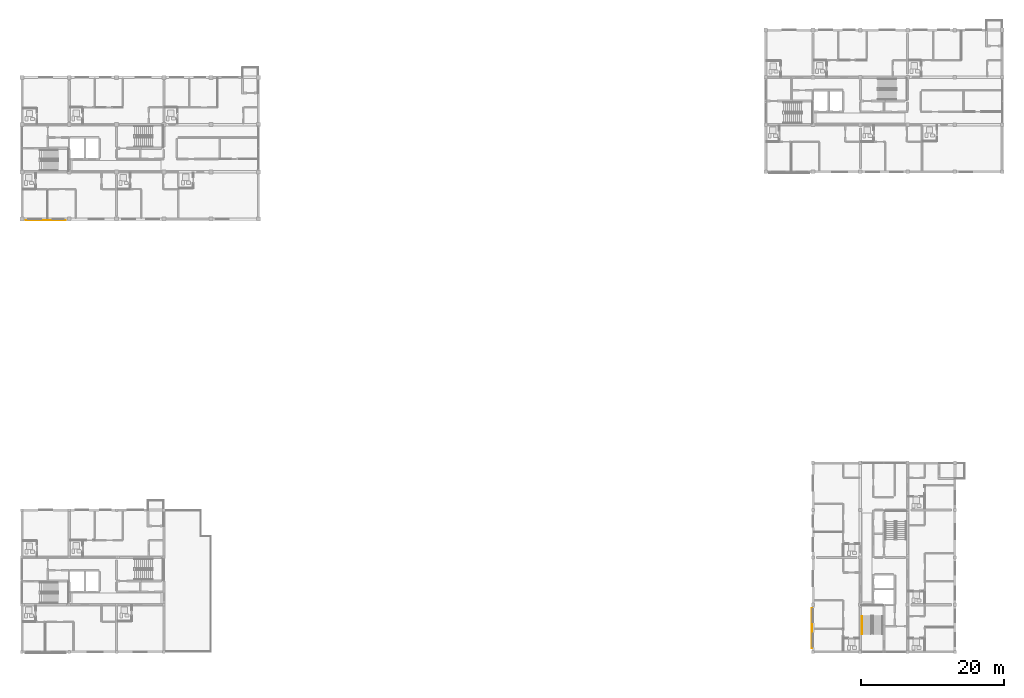
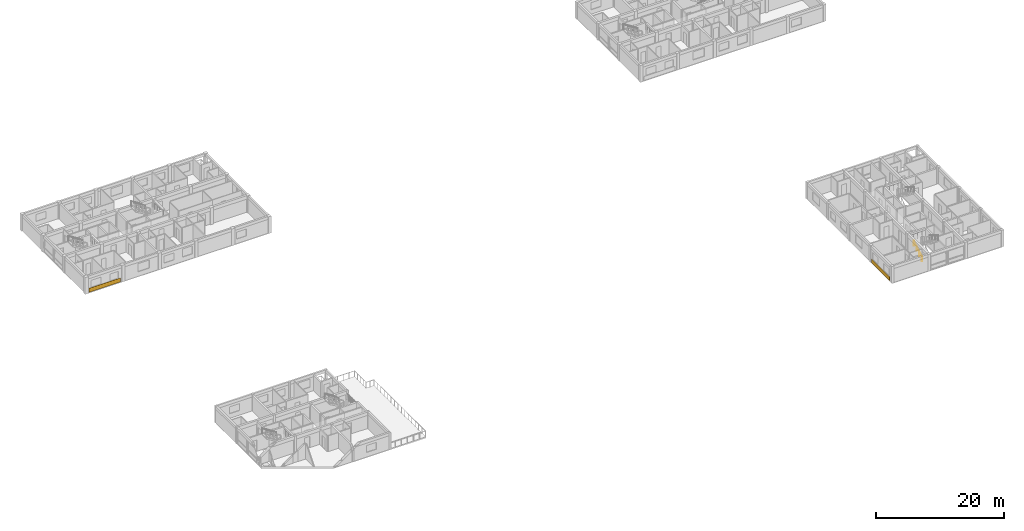
# One storey, part 41 of 46: 2 coverings, 1 railing.
"""IFC4 building model written with IfcOpenShell, lengths in metres."""

from ifc_helpers import new_model, si_unit, direction, frame, origin, origin_2d, place, context, subcontext, project, spatial, rectangle, circle, extrude, material, layer, layer_set, type_object, element, save


model = new_model("IFC4")

# Units and contexts
model_context = context("Model", 3, precision=1e-05, world=origin(), true_north=direction((0.0, 1.0)))
body_context = subcontext(model_context, "Body", "Model", "MODEL_VIEW")
ifc_project = project(units=[si_unit("LENGTHUNIT", "METRE"), si_unit("AREAUNIT", "SQUARE_METRE"), si_unit("VOLUMEUNIT", "CUBIC_METRE"), si_unit("PLANEANGLEUNIT", "RADIAN"), si_unit("MASSUNIT", "GRAM", prefix="KILO")], contexts=[model_context])

# Site, building, storey
site_placement = place(None, origin())
site = spatial("IfcSite", under=ifc_project, at=site_placement, CompositionType="ELEMENT")
building_placement = place(site_placement, origin())
building = spatial("IfcBuilding", under=site, at=building_placement, Name="Kernevlak Ridge Housing Community", CompositionType="ELEMENT")
storey_placement = place(building_placement, frame((0.0, 0.0, 27.60009765625)))
storey = spatial("IfcBuildingStorey", under=building, at=storey_placement, Name="L08", CompositionType="ELEMENT", Elevation=27.60009765625)

# Coverings
ifc_material_1 = material(Name="Aluminium EN AW-5005 enamelled cladding", Category="aluminium")
ifc_layer = layer(ifc_material_1, 0.030029296875, Name="Aluminium EN AW-5005 enamelled cladding")
ifc_layer_set = layer_set([ifc_layer], Name="Aluminium EN AW-5005 enamelled cladding")
covering_type = type_object("IfcCoveringType", Name="CV-04", PredefinedType="CLADDING", material=ifc_layer_set)
for number, where, z_axis, x_axis, name in (
    (1, (18.89990234375, 75.844970703125, 0.074951171875), (0.0, 0.0, 1.0), (1.0, 0.0, 0.0), "Block A L08 De Stijl blue spandrel cladding"),
    (2, (125.844970703125, 18.89990234375, 0.074951171875), (0.0, 0.0, 1.0), (0.0, 1.0, 0.0), "Block C L08 De Stijl blue spandrel cladding"),
):
    element("IfcCovering", number, at=place(storey_placement, frame(where, z_axis=z_axis, x_axis=x_axis)), inside=storey, type_object=covering_type, Name=name, PredefinedType="CLADDING", context=body_context, shape_type="SweptSolid", body=[
        extrude(rectangle(XDim=5.60009765625, YDim=0.030029296875, at=origin_2d()), origin(), (0.0, 0.0, 1.0), 0.75),
    ])

# Railing
ifc_material_2 = material(Name="Stainless steel EN 1.4401", Category="steel")
railing_type = type_object("IfcRailingType", Name="HR-01", PredefinedType="HANDRAIL", material=ifc_material_2)
railing_placement = place(storey_placement, frame((132.820068359375, 18.080078125, 0.159912109375)))
element("IfcRailing", 3, at=railing_placement, inside=storey, type_object=railing_type, Name="Stair ST-C1 L08 flight 1 handrail", PredefinedType="HANDRAIL", context=body_context, shape_type="SweptSolid", body=[
    extrude(circle(Radius=0.02392578125, at=origin_2d()), frame((0.0, 0.0, 0.89599609375), z_axis=(0.0, 0.868253494771, 0.496120820787), x_axis=(-1.0, 0.0, 0.0)), (0.0, 0.0, 1.0), 2.90234375),
    extrude(circle(Radius=0.02099609375, at=origin_2d()), origin(), (0.0, 0.0, 1.0), 0.871826171875),
    extrude(circle(Radius=0.02099609375, at=origin_2d()), frame((0.0, 0.840087890625, 0.47998046875)), (0.0, 0.0, 1.0), 0.871826171875),
    extrude(circle(Radius=0.02099609375, at=origin_2d()), frame((0.0, 1.679931640625, 0.9599609375)), (0.0, 0.0, 1.0), 0.871826171875),
    extrude(circle(Radius=0.02099609375, at=origin_2d()), frame((0.0, 2.52001953125, 1.43994140625)), (0.0, 0.0, 1.0), 0.871826171875),
])

save(model, "model.ifc")
